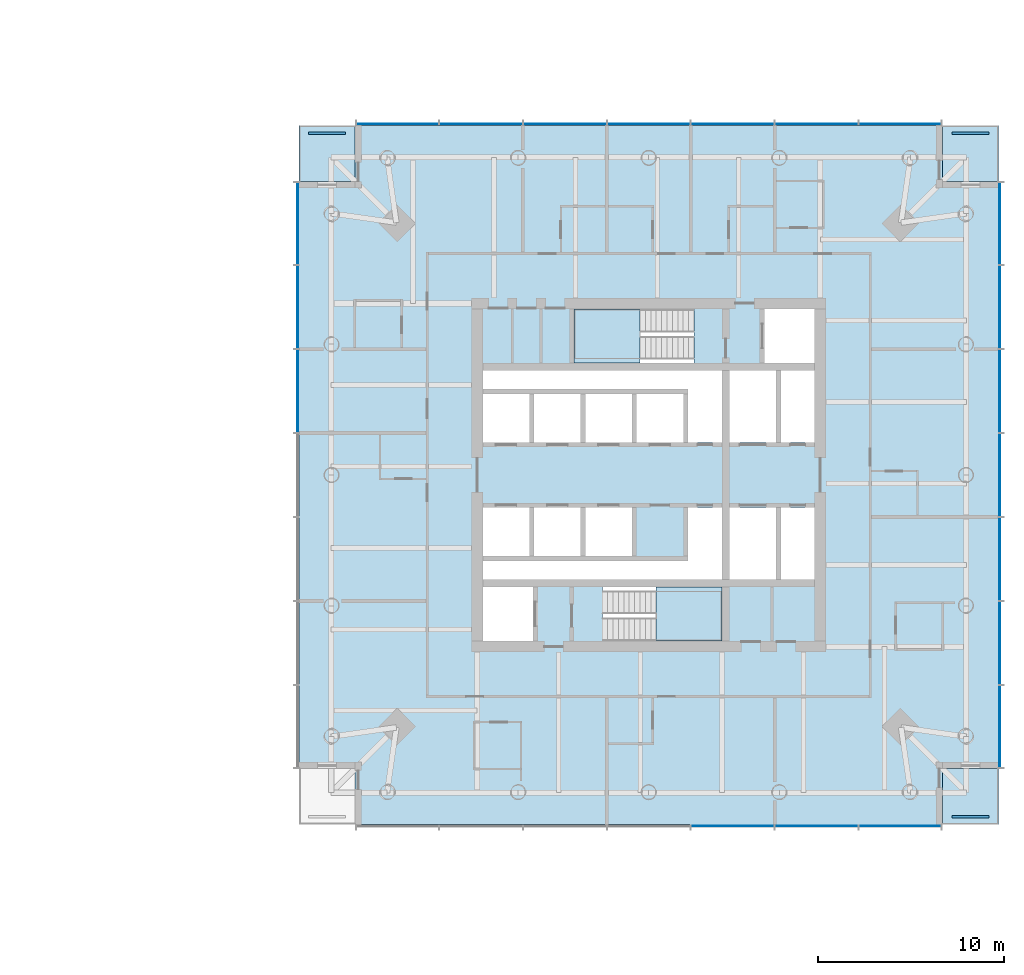
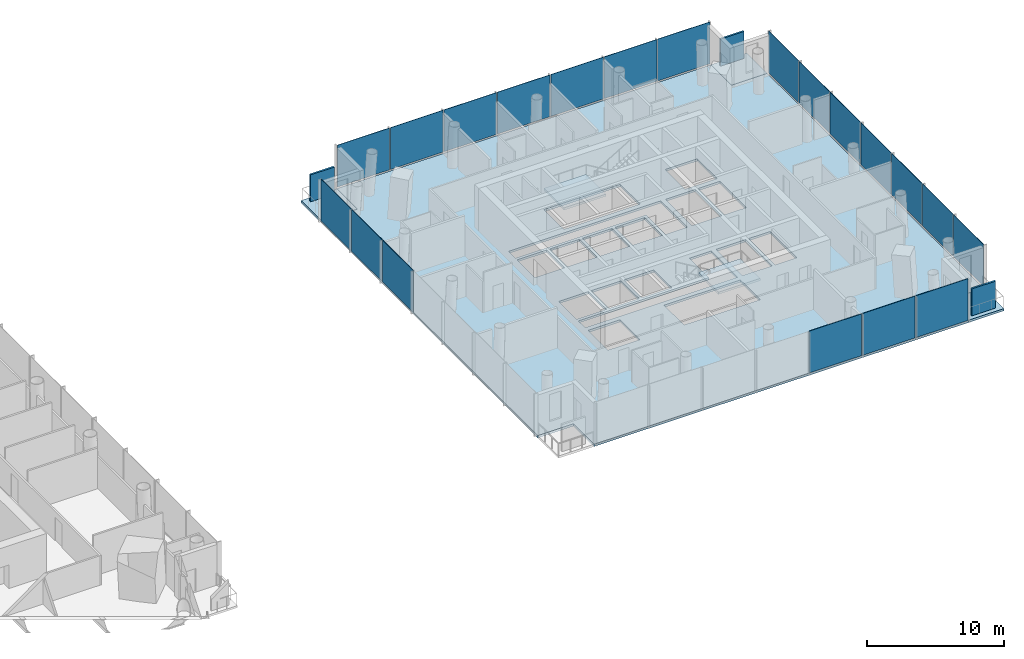
# One storey, part 8 of 26: 23 plates, 6 slabs, 6 elements without a shape of their own.
"""IFC4 building model written with IfcOpenShell, lengths in metres."""

from ifc_helpers import new_model, si_unit, direction, frame, origin, origin_2d, place, context, subcontext, project, spatial, polyline, rectangle, outline, extrude, material, layer, layer_set, type_object, element, aggregate, save


model = new_model("IFC4")

# Units and contexts
model_context = context("Model", 3, precision=1e-05, world=origin(), true_north=direction((0.0, 1.0)))
body_context = subcontext(model_context, "Body", "Model", "MODEL_VIEW")
ifc_project = project(units=[si_unit("LENGTHUNIT", "METRE"), si_unit("AREAUNIT", "SQUARE_METRE"), si_unit("VOLUMEUNIT", "CUBIC_METRE"), si_unit("PLANEANGLEUNIT", "RADIAN"), si_unit("MASSUNIT", "GRAM", prefix="KILO")], contexts=[model_context])

# Site, building, storey
site_placement = place(None, origin())
site = spatial("IfcSite", under=ifc_project, at=site_placement, CompositionType="ELEMENT")
building_placement = place(site_placement, origin())
building = spatial("IfcBuilding", under=site, at=building_placement, Name="Ostroluk Exchange", CompositionType="ELEMENT")
storey_placement = place(building_placement, frame((0.0, 0.0, 66.60009765625)))
storey = spatial("IfcBuildingStorey", under=building, at=storey_placement, Name="L16", CompositionType="ELEMENT", Elevation=66.60009765625)

# Curtain wall, plates
ifc_material_1 = material(Name="Laminated clear glass", Category="glass")
curtain_wall_type = type_object("IfcCurtainWallType", Name="Hotel guest floor facade", PredefinedType="USERDEFINED", material=ifc_material_1)
curtain_wall_1_placement = place(storey_placement, origin())
curtain_wall_1 = element("IfcCurtainWall", 1, at=curtain_wall_1_placement, inside=storey, type_object=curtain_wall_type, Name="Hotel tower south facade L16", ObjectType="UNITISED CURTAIN WALL", PredefinedType="USERDEFINED")
ifc_material_2 = material(Name="Laminated clear glass", Category="glass")
ifc_layer_1 = layer(ifc_material_2, 0.0400390625)
ifc_layer_set_1 = layer_set([ifc_layer_1], Name="Acoustic laminated glazing 40")
plate_type_1 = type_object("IfcPlateType", Name="Acoustic laminated glazing 40", PredefinedType="CURTAIN_PANEL", material=ifc_layer_set_1)
plate_1_placement = place(storey_placement, frame((121.5, 27.175048828125, 0.080078125), z_axis=(0.0, 0.0, 1.0), x_axis=(1.0, 0.0, 0.0)))
plate_1 = element("IfcPlate", 2, at=plate_1_placement, type_object=plate_type_1, Name="CW-H1 panel 5.1", PredefinedType="CURTAIN_PANEL", context=body_context, shape_type="SweptSolid", body=[
    extrude(rectangle(XDim=4.419921875, YDim=0.0400390625, at=origin_2d()), origin(), (0.0, 0.0, 1.0), 3.719970703125),
])
plate_2_placement = place(storey_placement, frame((126.0, 27.175048828125, 0.080078125), z_axis=(0.0, 0.0, 1.0), x_axis=(1.0, 0.0, 0.0)))
plate_2 = element("IfcPlate", 3, at=plate_2_placement, type_object=plate_type_1, Name="CW-H1 panel 6.1", PredefinedType="CURTAIN_PANEL", context=body_context, shape_type="SweptSolid", body=[
    extrude(rectangle(XDim=4.419921875, YDim=0.0400390625, at=origin_2d()), origin(), (0.0, 0.0, 1.0), 3.719970703125),
])
plate_3_placement = place(storey_placement, frame((130.47998046875, 27.175048828125, 0.080078125), z_axis=(0.0, 0.0, 1.0), x_axis=(1.0, 0.0, 0.0)))
plate_3 = element("IfcPlate", 4, at=plate_3_placement, type_object=plate_type_1, Name="CW-H1 panel 7.1", PredefinedType="CURTAIN_PANEL", context=body_context, shape_type="SweptSolid", body=[
    extrude(rectangle(XDim=4.3798828125, YDim=0.0400390625, at=origin_2d()), origin(), (0.0, 0.0, 1.0), 3.719970703125),
])
aggregate(curtain_wall_1, [plate_1, plate_2, plate_3])

curtain_wall_2_placement = place(storey_placement, origin())
curtain_wall_2 = element("IfcCurtainWall", 5, at=curtain_wall_2_placement, inside=storey, type_object=curtain_wall_type, Name="Hotel tower east facade L16", ObjectType="UNITISED CURTAIN WALL", PredefinedType="USERDEFINED")
plate_4_placement = place(storey_placement, frame((135.824951171875, 32.52001953125, 0.080078125), z_axis=(0.0, 0.0, 1.0), x_axis=(0.0, 1.0, 0.0)))
plate_4 = element("IfcPlate", 6, at=plate_4_placement, type_object=plate_type_1, Name="CW-H1 panel 1.1", PredefinedType="CURTAIN_PANEL", context=body_context, shape_type="SweptSolid", body=[
    extrude(rectangle(XDim=4.3798828125, YDim=0.0400390625, at=origin_2d()), origin(), (0.0, 0.0, 1.0), 3.719970703125),
])
plate_5_placement = place(storey_placement, frame((135.824951171875, 37.0, 0.080078125), z_axis=(0.0, 0.0, 1.0), x_axis=(0.0, 1.0, 0.0)))
plate_5 = element("IfcPlate", 7, at=plate_5_placement, type_object=plate_type_1, Name="CW-H1 panel 2.1", PredefinedType="CURTAIN_PANEL", context=body_context, shape_type="SweptSolid", body=[
    extrude(rectangle(XDim=4.419921875, YDim=0.0400390625, at=origin_2d()), origin(), (0.0, 0.0, 1.0), 3.719970703125),
])
plate_6_placement = place(storey_placement, frame((135.824951171875, 41.5, 0.080078125), z_axis=(0.0, 0.0, 1.0), x_axis=(0.0, 1.0, 0.0)))
plate_6 = element("IfcPlate", 8, at=plate_6_placement, type_object=plate_type_1, Name="CW-H1 panel 3.1", PredefinedType="CURTAIN_PANEL", context=body_context, shape_type="SweptSolid", body=[
    extrude(rectangle(XDim=4.419921875, YDim=0.0400390625, at=origin_2d()), origin(), (0.0, 0.0, 1.0), 3.719970703125),
])
plate_7_placement = place(storey_placement, frame((135.824951171875, 46.0, 0.080078125), z_axis=(0.0, 0.0, 1.0), x_axis=(0.0, 1.0, 0.0)))
plate_7 = element("IfcPlate", 9, at=plate_7_placement, type_object=plate_type_1, Name="CW-H1 panel 4.1", PredefinedType="CURTAIN_PANEL", context=body_context, shape_type="SweptSolid", body=[
    extrude(rectangle(XDim=4.419921875, YDim=0.0400390625, at=origin_2d()), origin(), (0.0, 0.0, 1.0), 3.719970703125),
])
plate_8_placement = place(storey_placement, frame((135.824951171875, 50.5, 0.080078125), z_axis=(0.0, 0.0, 1.0), x_axis=(0.0, 1.0, 0.0)))
plate_8 = element("IfcPlate", 10, at=plate_8_placement, type_object=plate_type_1, Name="CW-H1 panel 5.1", PredefinedType="CURTAIN_PANEL", context=body_context, shape_type="SweptSolid", body=[
    extrude(rectangle(XDim=4.419921875, YDim=0.0400390625, at=origin_2d()), origin(), (0.0, 0.0, 1.0), 3.719970703125),
])
plate_9_placement = place(storey_placement, frame((135.824951171875, 55.0, 0.080078125), z_axis=(0.0, 0.0, 1.0), x_axis=(0.0, 1.0, 0.0)))
plate_9 = element("IfcPlate", 11, at=plate_9_placement, type_object=plate_type_1, Name="CW-H1 panel 6.1", PredefinedType="CURTAIN_PANEL", context=body_context, shape_type="SweptSolid", body=[
    extrude(rectangle(XDim=4.419921875, YDim=0.0400390625, at=origin_2d()), origin(), (0.0, 0.0, 1.0), 3.719970703125),
])
plate_10_placement = place(storey_placement, frame((135.824951171875, 59.47998046875, 0.080078125), z_axis=(0.0, 0.0, 1.0), x_axis=(0.0, 1.0, 0.0)))
plate_10 = element("IfcPlate", 12, at=plate_10_placement, type_object=plate_type_1, Name="CW-H1 panel 7.1", PredefinedType="CURTAIN_PANEL", context=body_context, shape_type="SweptSolid", body=[
    extrude(rectangle(XDim=4.3798828125, YDim=0.0400390625, at=origin_2d()), origin(), (0.0, 0.0, 1.0), 3.719970703125),
])
aggregate(curtain_wall_2, [plate_4, plate_5, plate_6, plate_7, plate_8, plate_9, plate_10])

curtain_wall_3_placement = place(storey_placement, origin())
curtain_wall_3 = element("IfcCurtainWall", 13, at=curtain_wall_3_placement, inside=storey, type_object=curtain_wall_type, Name="Hotel tower north facade L16", ObjectType="UNITISED CURTAIN WALL", PredefinedType="USERDEFINED")
plate_11_placement = place(storey_placement, frame((130.47998046875, 64.824951171875, 0.080078125), z_axis=(0.0, 0.0, 1.0), x_axis=(-1.0, 0.0, 0.0)))
plate_11 = element("IfcPlate", 14, at=plate_11_placement, type_object=plate_type_1, Name="CW-H1 panel 1.1", PredefinedType="CURTAIN_PANEL", context=body_context, shape_type="SweptSolid", body=[
    extrude(rectangle(XDim=4.3798828125, YDim=0.0400390625, at=origin_2d()), origin(), (0.0, 0.0, 1.0), 3.719970703125),
])
plate_12_placement = place(storey_placement, frame((126.0, 64.824951171875, 0.080078125), z_axis=(0.0, 0.0, 1.0), x_axis=(-1.0, 0.0, 0.0)))
plate_12 = element("IfcPlate", 15, at=plate_12_placement, type_object=plate_type_1, Name="CW-H1 panel 2.1", PredefinedType="CURTAIN_PANEL", context=body_context, shape_type="SweptSolid", body=[
    extrude(rectangle(XDim=4.419921875, YDim=0.0400390625, at=origin_2d()), origin(), (0.0, 0.0, 1.0), 3.719970703125),
])
plate_13_placement = place(storey_placement, frame((121.5, 64.824951171875, 0.080078125), z_axis=(0.0, 0.0, 1.0), x_axis=(-1.0, 0.0, 0.0)))
plate_13 = element("IfcPlate", 16, at=plate_13_placement, type_object=plate_type_1, Name="CW-H1 panel 3.1", PredefinedType="CURTAIN_PANEL", context=body_context, shape_type="SweptSolid", body=[
    extrude(rectangle(XDim=4.419921875, YDim=0.0400390625, at=origin_2d()), origin(), (0.0, 0.0, 1.0), 3.719970703125),
])
plate_14_placement = place(storey_placement, frame((117.0, 64.824951171875, 0.080078125), z_axis=(0.0, 0.0, 1.0), x_axis=(-1.0, 0.0, 0.0)))
plate_14 = element("IfcPlate", 17, at=plate_14_placement, type_object=plate_type_1, Name="CW-H1 panel 4.1", PredefinedType="CURTAIN_PANEL", context=body_context, shape_type="SweptSolid", body=[
    extrude(rectangle(XDim=4.419921875, YDim=0.0400390625, at=origin_2d()), origin(), (0.0, 0.0, 1.0), 3.719970703125),
])
plate_15_placement = place(storey_placement, frame((112.5, 64.824951171875, 0.080078125), z_axis=(0.0, 0.0, 1.0), x_axis=(-1.0, 0.0, 0.0)))
plate_15 = element("IfcPlate", 18, at=plate_15_placement, type_object=plate_type_1, Name="CW-H1 panel 5.1", PredefinedType="CURTAIN_PANEL", context=body_context, shape_type="SweptSolid", body=[
    extrude(rectangle(XDim=4.419921875, YDim=0.0400390625, at=origin_2d()), origin(), (0.0, 0.0, 1.0), 3.719970703125),
])
plate_16_placement = place(storey_placement, frame((108.0, 64.824951171875, 0.080078125), z_axis=(0.0, 0.0, 1.0), x_axis=(-1.0, 0.0, 0.0)))
plate_16 = element("IfcPlate", 19, at=plate_16_placement, type_object=plate_type_1, Name="CW-H1 panel 6.1", PredefinedType="CURTAIN_PANEL", context=body_context, shape_type="SweptSolid", body=[
    extrude(rectangle(XDim=4.419921875, YDim=0.0400390625, at=origin_2d()), origin(), (0.0, 0.0, 1.0), 3.719970703125),
])
plate_17_placement = place(storey_placement, frame((103.52001953125, 64.824951171875, 0.080078125), z_axis=(0.0, 0.0, 1.0), x_axis=(-1.0, 0.0, 0.0)))
plate_17 = element("IfcPlate", 20, at=plate_17_placement, type_object=plate_type_1, Name="CW-H1 panel 7.1", PredefinedType="CURTAIN_PANEL", context=body_context, shape_type="SweptSolid", body=[
    extrude(rectangle(XDim=4.3798828125, YDim=0.0400390625, at=origin_2d()), origin(), (0.0, 0.0, 1.0), 3.719970703125),
])
aggregate(curtain_wall_3, [plate_11, plate_12, plate_13, plate_14, plate_15, plate_16, plate_17])

curtain_wall_4_placement = place(storey_placement, origin())
curtain_wall_4 = element("IfcCurtainWall", 21, at=curtain_wall_4_placement, inside=storey, type_object=curtain_wall_type, Name="Hotel tower west facade L16", ObjectType="UNITISED CURTAIN WALL", PredefinedType="USERDEFINED")
plate_18_placement = place(storey_placement, frame((98.175048828125, 59.47998046875, 0.080078125), z_axis=(0.0, 0.0, 1.0), x_axis=(0.0, -1.0, 0.0)))
plate_18 = element("IfcPlate", 22, at=plate_18_placement, type_object=plate_type_1, Name="CW-H1 panel 1.1", PredefinedType="CURTAIN_PANEL", context=body_context, shape_type="SweptSolid", body=[
    extrude(rectangle(XDim=4.3798828125, YDim=0.0400390625, at=origin_2d()), origin(), (0.0, 0.0, 1.0), 3.719970703125),
])
plate_19_placement = place(storey_placement, frame((98.175048828125, 55.0, 0.080078125), z_axis=(0.0, 0.0, 1.0), x_axis=(0.0, -1.0, 0.0)))
plate_19 = element("IfcPlate", 23, at=plate_19_placement, type_object=plate_type_1, Name="CW-H1 panel 2.1", PredefinedType="CURTAIN_PANEL", context=body_context, shape_type="SweptSolid", body=[
    extrude(rectangle(XDim=4.419921875, YDim=0.0400390625, at=origin_2d()), origin(), (0.0, 0.0, 1.0), 3.719970703125),
])
plate_20_placement = place(storey_placement, frame((98.175048828125, 50.5, 0.080078125), z_axis=(0.0, 0.0, 1.0), x_axis=(0.0, -1.0, 0.0)))
plate_20 = element("IfcPlate", 24, at=plate_20_placement, type_object=plate_type_1, Name="CW-H1 panel 3.1", PredefinedType="CURTAIN_PANEL", context=body_context, shape_type="SweptSolid", body=[
    extrude(rectangle(XDim=4.419921875, YDim=0.0400390625, at=origin_2d()), origin(), (0.0, 0.0, 1.0), 3.719970703125),
])
aggregate(curtain_wall_4, [plate_18, plate_19, plate_20])

# Slabs
ifc_material_3 = material(Name="Concrete C35/45", Category="concrete")
ifc_layer_2 = layer(ifc_material_3, 0.199951171875)
ifc_layer_set_2 = layer_set([ifc_layer_2], Name="Balcony slab 200")
slab_type_1 = type_object("IfcSlabType", Name="Balcony slab 200", PredefinedType="USERDEFINED", material=ifc_layer_set_2)
slab_1_placement = place(storey_placement, frame((0.0, 0.0, -0.2001953125)))
element("IfcSlab", 25, at=slab_1_placement, inside=storey, type_object=slab_type_1, Name="Hotel tower SE corner balcony L16", ObjectType="BALCONY", PredefinedType="USERDEFINED", context=body_context, shape_type="SweptSolid", body=[
    extrude(outline(polyline([(132.75, 27.25), (135.75, 27.25), (135.75, 30.25), (132.75, 30.25), (132.75, 27.25)])), origin(), (0.0, 0.0, 1.0), 0.2001953125),
])
slab_2_placement = place(storey_placement, frame((0.0, 0.0, -0.2001953125)))
element("IfcSlab", 26, at=slab_2_placement, inside=storey, type_object=slab_type_1, Name="Hotel tower NE corner balcony L16", ObjectType="BALCONY", PredefinedType="USERDEFINED", context=body_context, shape_type="SweptSolid", body=[
    extrude(outline(polyline([(132.75, 61.75), (135.75, 61.75), (135.75, 64.75), (132.75, 64.75), (132.75, 61.75)])), origin(), (0.0, 0.0, 1.0), 0.2001953125),
])
slab_3_placement = place(storey_placement, frame((0.0, 0.0, -0.2001953125)))
element("IfcSlab", 27, at=slab_3_placement, inside=storey, type_object=slab_type_1, Name="Hotel tower NW corner balcony L16", ObjectType="BALCONY", PredefinedType="USERDEFINED", context=body_context, shape_type="SweptSolid", body=[
    extrude(outline(polyline([(98.25, 61.75), (101.25, 61.75), (101.25, 64.75), (98.25, 64.75), (98.25, 61.75)])), origin(), (0.0, 0.0, 1.0), 0.2001953125),
])

# Plates
ifc_material_4 = material(Name="Steel S355 trellis with planting", Category="steel")
ifc_layer_3 = layer(ifc_material_4, 0.14990234375)
ifc_layer_set_3 = layer_set([ifc_layer_3], Name="Planted screen 150")
plate_type_2 = type_object("IfcPlateType", Name="Planted screen 150", PredefinedType="USERDEFINED", material=ifc_layer_set_3)
for number, where, z_axis, x_axis, name in (
    (28, (134.25, 27.675048828125, 0.0), (0.0, 0.0, 1.0), (1.0, 0.0, 0.0), "Hotel tower SE planted screen L16"),
    (29, (134.25, 64.324951171875, 0.0), (0.0, 0.0, 1.0), (1.0, 0.0, 0.0), "Hotel tower NE planted screen L16"),
    (30, (99.75, 64.324951171875, 0.0), (0.0, 0.0, 1.0), (1.0, 0.0, 0.0), "Hotel tower NW planted screen L16"),
):
    element("IfcPlate", number, at=place(storey_placement, frame(where, z_axis=z_axis, x_axis=x_axis)), inside=storey, type_object=plate_type_2, Name=name, ObjectType="PLANTED SCREEN", PredefinedType="USERDEFINED", context=body_context, shape_type="SweptSolid", body=[
        extrude(rectangle(XDim=2.0, YDim=0.14990234375, at=origin_2d()), origin(), (0.0, 0.0, 1.0), 2.39990234375),
    ])

# Stair, slab
ifc_material_5 = material(Name="Concrete C30/37", Category="concrete")
stair_type = type_object("IfcStairType", Name="Exit stair half turn 3800", PredefinedType="HALF_TURN_STAIR", material=ifc_material_5)
stair_1_placement = place(storey_placement, origin())
stair_1 = element("IfcStair", 31, at=stair_1_placement, inside=storey, type_object=stair_type, Name="Stair T2-S1 L16", PredefinedType="HALF_TURN_STAIR")
ifc_material_6 = material(Name="Concrete C30/37", Category="concrete")
ifc_layer_4 = layer(ifc_material_6, 0.199951171875)
ifc_layer_set_4 = layer_set([ifc_layer_4], Name="Stair landing 200")
slab_type_2 = type_object("IfcSlabType", Name="Stair landing 200", PredefinedType="LANDING", material=ifc_layer_set_4)
slab_4_placement = place(storey_placement, frame((0.0, 0.0, 1.699951171875)))
slab_4 = element("IfcSlab", 32, at=slab_4_placement, type_object=slab_type_2, Name="T2-S1 landing 1", PredefinedType="LANDING", context=body_context, shape_type="SweptSolid", body=[
    extrude(outline(polyline([(117.39990234375, 37.10009765625), (117.39990234375, 40.0), (120.929931640625, 40.0), (120.929931640625, 37.10009765625), (117.39990234375, 37.10009765625)])), origin(), (0.0, 0.0, 1.0), 0.199951171875),
])
aggregate(stair_1, [slab_4])

stair_2_placement = place(storey_placement, origin())
stair_2 = element("IfcStair", 33, at=stair_2_placement, inside=storey, type_object=stair_type, Name="Stair T2-S2 L16", PredefinedType="HALF_TURN_STAIR")
slab_5_placement = place(storey_placement, frame((0.0, 0.0, 1.699951171875)))
slab_5 = element("IfcSlab", 34, at=slab_5_placement, type_object=slab_type_2, Name="T2-S2 landing 1", PredefinedType="LANDING", context=body_context, shape_type="SweptSolid", body=[
    extrude(outline(polyline([(116.530029296875, 52.0), (116.530029296875, 54.89990234375), (113.0, 54.89990234375), (113.0, 52.0), (116.530029296875, 52.0)])), origin(), (0.0, 0.0, 1.0), 0.199951171875),
])
aggregate(stair_2, [slab_5])

# Slab
ifc_material_7 = material(Name="Concrete C35/45", Category="concrete")
ifc_layer_5 = layer(ifc_material_7, 0.199951171875)
ifc_layer_set_5 = layer_set([ifc_layer_5], Name="Tower floor slab 200 composite")
slab_type_3 = type_object("IfcSlabType", Name="Tower floor slab 200 composite", PredefinedType="FLOOR", material=ifc_layer_set_5)
slab_6_placement = place(storey_placement, frame((0.0, 0.0, -0.2001953125)))
element("IfcSlab", 35, at=slab_6_placement, inside=storey, type_object=slab_type_3, Name="Hotel tower floor slab L16", PredefinedType="FLOOR", context=body_context, shape_type="SweptSolid", body=[
    extrude(outline(polyline([(101.25, 27.25), (132.75, 27.25), (132.75, 30.25), (135.75, 30.25), (135.75, 61.75), (132.75, 61.75), (132.75, 64.75), (101.25, 64.75), (101.25, 61.75), (98.25, 61.75), (98.25, 30.25), (101.25, 30.25), (101.25, 27.25)]), holes=[polyline([(108.10009765625, 37.10009765625), (110.800048828125, 37.10009765625), (110.800048828125, 40.0), (108.10009765625, 40.0), (108.10009765625, 37.10009765625)]), polyline([(114.510009765625, 37.10009765625), (120.929931640625, 37.10009765625), (120.929931640625, 40.0), (114.510009765625, 40.0), (114.510009765625, 37.10009765625)]), polyline([(113.0, 52.0), (119.419921875, 52.0), (119.419921875, 54.89990234375), (113.0, 54.89990234375), (113.0, 52.0)]), polyline([(123.199951171875, 52.0), (125.89990234375, 52.0), (125.89990234375, 54.89990234375), (123.199951171875, 54.89990234375), (123.199951171875, 52.0)]), polyline([(108.10009765625, 47.75), (110.60009765625, 47.75), (110.60009765625, 50.35009765625), (108.10009765625, 50.35009765625), (108.10009765625, 47.75)]), polyline([(110.85009765625, 47.75), (113.35009765625, 47.75), (113.35009765625, 50.35009765625), (110.85009765625, 50.35009765625), (110.85009765625, 47.75)]), polyline([(113.60009765625, 47.75), (116.10009765625, 47.75), (116.10009765625, 50.35009765625), (113.60009765625, 50.35009765625), (113.60009765625, 47.75)]), polyline([(116.35009765625, 47.75), (118.85009765625, 47.75), (118.85009765625, 50.35009765625), (116.35009765625, 50.35009765625), (116.35009765625, 47.75)]), polyline([(108.10009765625, 41.64990234375), (110.60009765625, 41.64990234375), (110.60009765625, 44.25), (108.10009765625, 44.25), (108.10009765625, 41.64990234375)]), polyline([(110.85009765625, 41.64990234375), (113.35009765625, 41.64990234375), (113.35009765625, 44.25), (110.85009765625, 44.25), (110.85009765625, 41.64990234375)]), polyline([(113.60009765625, 41.64990234375), (116.10009765625, 41.64990234375), (116.10009765625, 44.25), (113.60009765625, 44.25), (113.60009765625, 41.64990234375)]), polyline([(121.330078125, 47.75), (123.830078125, 47.75), (123.830078125, 51.60009765625), (121.330078125, 51.60009765625), (121.330078125, 47.75)]), polyline([(121.330078125, 40.39990234375), (123.830078125, 40.39990234375), (123.830078125, 44.25), (121.330078125, 44.25), (121.330078125, 40.39990234375)]), polyline([(120.929931640625, 51.60009765625), (120.929931640625, 47.75), (119.10009765625, 47.75), (119.10009765625, 50.60009765625), (108.10009765625, 50.60009765625), (108.10009765625, 51.60009765625), (120.929931640625, 51.60009765625)]), polyline([(108.10009765625, 40.39990234375), (108.10009765625, 41.39990234375), (119.10009765625, 41.39990234375), (119.10009765625, 44.25), (120.929931640625, 44.25), (120.929931640625, 40.39990234375), (108.10009765625, 40.39990234375)]), polyline([(124.080078125, 47.75), (125.89990234375, 47.75), (125.89990234375, 51.60009765625), (124.080078125, 51.60009765625), (124.080078125, 47.75)]), polyline([(124.080078125, 40.39990234375), (125.89990234375, 40.39990234375), (125.89990234375, 44.25), (124.080078125, 44.25), (124.080078125, 40.39990234375)])]), origin(), (0.0, 0.0, 1.0), 0.2001953125),
])

save(model, "model.ifc")
